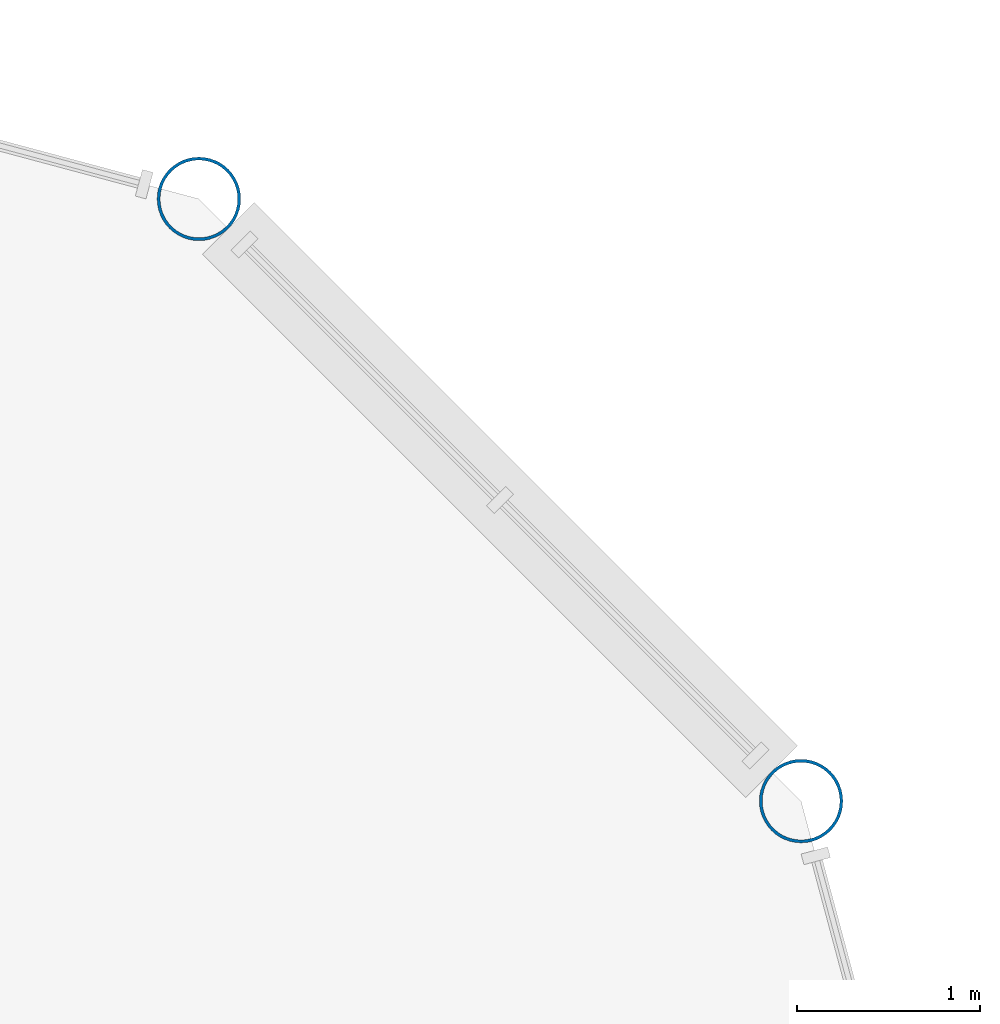
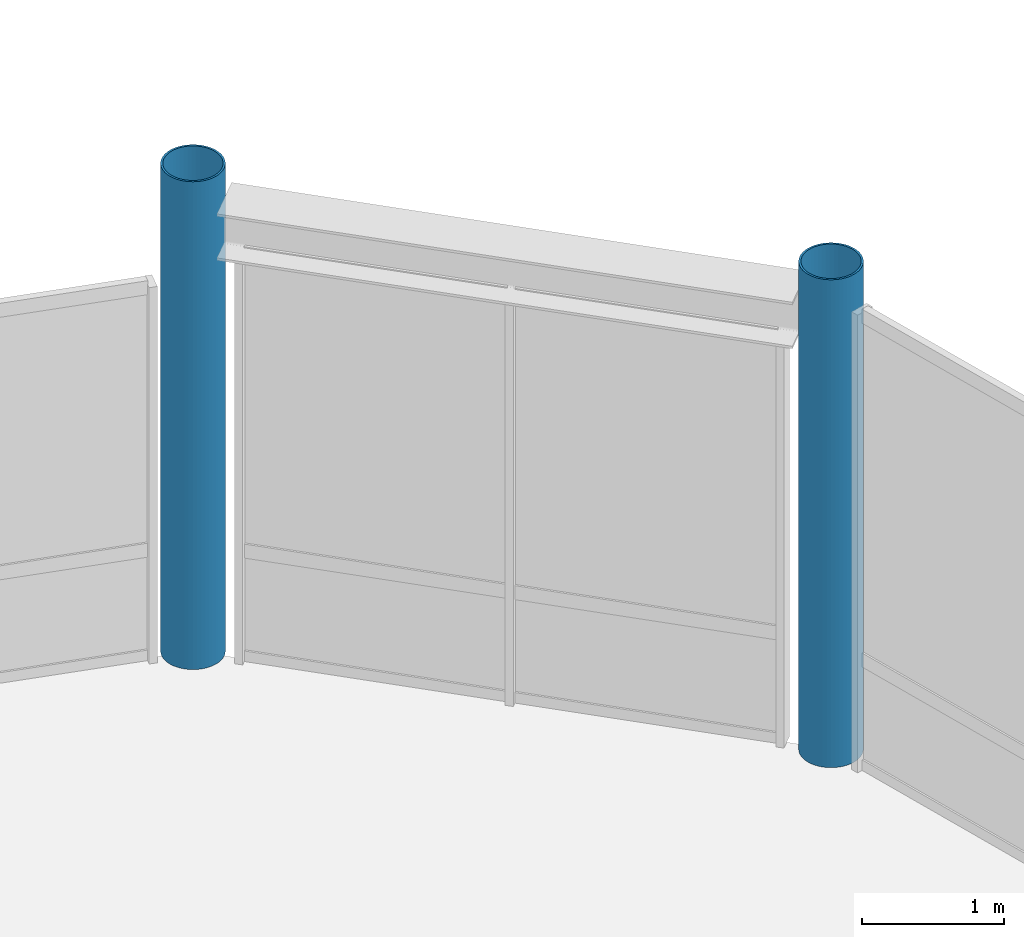
# One storey, part 15 of 105: 2 columns.
"""IFC4 building model written with IfcOpenShell, lengths in metres."""

from ifc_helpers import new_model, si_unit, direction, frame, origin, origin_2d, place, context, subcontext, project, spatial, hollow_circle, extrude, material, material_profile, profile_set, type_object, element, save


model = new_model("IFC4")

# Units and contexts
model_context = context("Model", 3, precision=1e-05, world=origin(), true_north=direction((0.0, 1.0)))
body_context = subcontext(model_context, "Body", "Model", "MODEL_VIEW")
ifc_project = project(units=[si_unit("LENGTHUNIT", "METRE"), si_unit("AREAUNIT", "SQUARE_METRE"), si_unit("VOLUMEUNIT", "CUBIC_METRE"), si_unit("PLANEANGLEUNIT", "RADIAN"), si_unit("MASSUNIT", "GRAM", prefix="KILO")], contexts=[model_context])

# Site, building, storey
site_placement = place(None, origin())
site = spatial("IfcSite", under=ifc_project, at=site_placement, CompositionType="ELEMENT")
building_placement = place(site_placement, origin())
building = spatial("IfcBuilding", under=site, at=building_placement, Name="Suzunagisa Mobility Hub", CompositionType="ELEMENT")
storey_placement = place(building_placement, frame((0.0, 0.0, 5.10009765625)))
storey = spatial("IfcBuildingStorey", under=building, at=storey_placement, Name="L01", CompositionType="ELEMENT", Elevation=5.10009765625)

# Columns
ifc_material = material(Name="Steel SN490B", Category="steel")
ifc_material_profile = material_profile(ifc_material, hollow_circle(Radius=0.228515625, WallThickness=0.01611328125, at=origin_2d()), Name="CHS-457.2x16.0")
ifc_profile_set = profile_set([ifc_material_profile], Name="Steel SN490B")
column_type = type_object("IfcColumnType", Name="Steel Column CL-08 CHS-457.2x16.0", PredefinedType="COLUMN", material=ifc_profile_set)
for number, where, z_axis, x_axis, name in (
    (1, (121.5, 116.794189453125, 0.0), (0.0, 0.0, 1.0), (1.0, 0.0, 0.0), "L01 Column 223"),
    (2, (124.794189453125, 113.5, 0.0), (0.0, 0.0, 1.0), (1.0, 0.0, 0.0), "L01 Column 227"),
):
    element("IfcColumn", number, at=place(storey_placement, frame(where, z_axis=z_axis, x_axis=x_axis)), inside=storey, type_object=column_type, Name=name, PredefinedType="COLUMN", context=body_context, shape_type="SweptSolid", body=[
        extrude(hollow_circle(Radius=0.228515625, WallThickness=0.01611328125, at=origin_2d()), origin(), (0.0, 0.0, 1.0), 4.199951171875),
    ])

save(model, "model.ifc")
